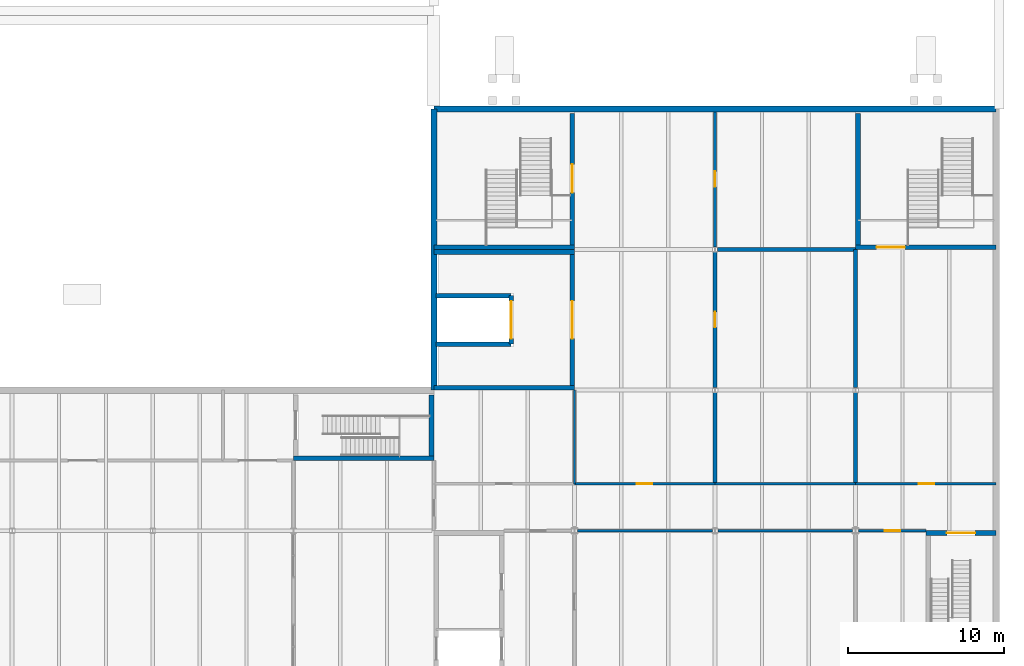
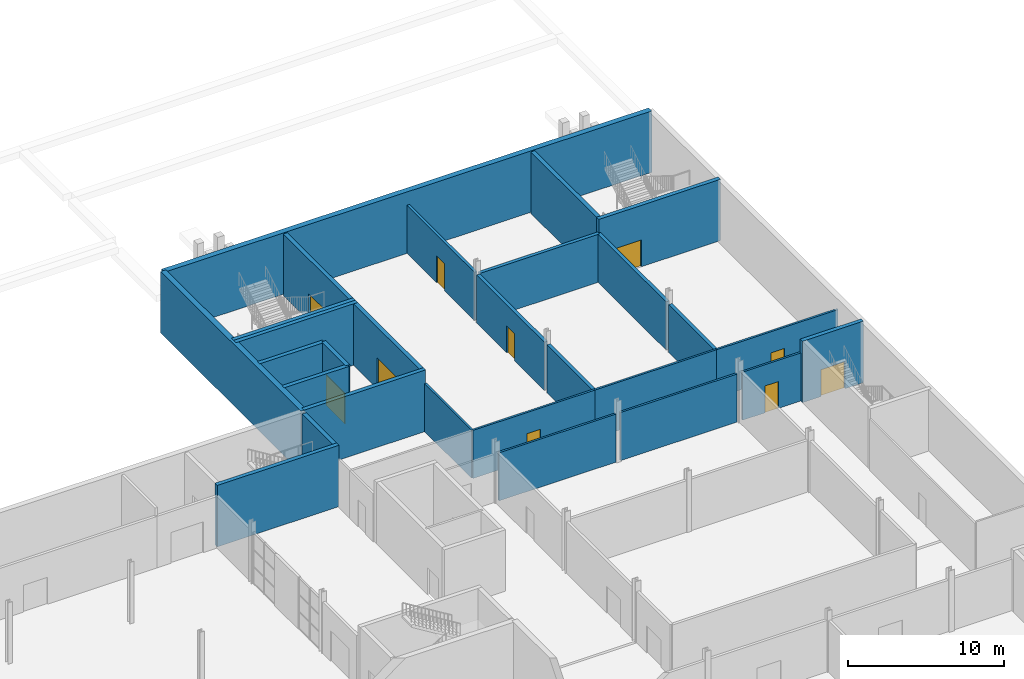
# One storey, part 19 of 31: 28 walls, 10 doors, 10 openings.
"""IFC4 building model written with IfcOpenShell, lengths in metres."""

from ifc_helpers import new_model, si_unit, direction, frame, frame_2d, origin, place, context, subcontext, project, spatial, rectangle, extrude, material, layer, layer_set, type_object, element, fill, save


model = new_model("IFC4")

# Units and contexts
model_context = context("Model", 3, precision=1e-05, world=origin(), true_north=direction((0.0, 1.0)))
body_context = subcontext(model_context, "Body", "Model", "MODEL_VIEW")
ifc_project = project(units=[si_unit("LENGTHUNIT", "METRE"), si_unit("AREAUNIT", "SQUARE_METRE"), si_unit("VOLUMEUNIT", "CUBIC_METRE"), si_unit("PLANEANGLEUNIT", "RADIAN"), si_unit("MASSUNIT", "GRAM", prefix="KILO")], contexts=[model_context])

# Site, building, storey
site_placement = place(None, origin())
site = spatial("IfcSite", under=ifc_project, at=site_placement, CompositionType="ELEMENT")
building_placement = place(site_placement, origin())
building = spatial("IfcBuilding", under=site, at=building_placement, Name="Halyard Row Museum", CompositionType="ELEMENT")
storey_placement = place(building_placement, frame((0.0, 0.0, -4.800048828125)))
storey = spatial("IfcBuildingStorey", under=building, at=storey_placement, Name="B1", CompositionType="ELEMENT", Elevation=-4.800048828125)

# Wall
ifc_material_1 = material(Name="Concrete 40 MPa", Category="concrete")
ifc_layer_1 = layer(ifc_material_1, 0.25)
ifc_layer_set_1 = layer_set([ifc_layer_1], Name="Concrete 40 MPa")
wall_type_1 = type_object("IfcWallType", Name="Archive wall 250 reinforced concrete", PredefinedType="PARTITIONING", material=ifc_layer_set_1)
wall_1_placement = place(storey_placement, frame((90.0, 39.0, 0.0), z_axis=(0.0, 0.0, 1.0), x_axis=(0.0, 1.0, 0.0)))
element("IfcWall", 1, at=wall_1_placement, inside=storey, type_object=wall_type_1, Name="Partition Goods Lobby B1 / Archive Store", PredefinedType="PARTITIONING", context=body_context, shape_type="SweptSolid", body=[
    extrude(rectangle(XDim=5.83642578125, YDim=0.25, at=frame_2d((2.918212890625, 0.0))), origin(), (0.0, 0.0, 1.0), 3.758056640625),
])

# Wall, opening, door
wall_2_placement = place(storey_placement, frame((90.0, 45.16357421875, 0.0), z_axis=(0.0, 0.0, 1.0), x_axis=(0.0, 1.0, 0.0)))
wall_2 = element("IfcWall", 2, at=wall_2_placement, inside=storey, type_object=wall_type_1, Name="Partition Goods Lobby B1 / Archive Store", PredefinedType="PARTITIONING", context=body_context, shape_type="SweptSolid", body=[
    extrude(rectangle(XDim=8.676025390625, YDim=0.25, at=frame_2d((4.337890625, 0.0))), origin(), (0.0, 0.0, 1.0), 3.758056640625),
])
opening_1_placement = place(wall_2_placement, frame((3.85009765625, 0.0, 0.0)))
opening_1 = element("IfcOpeningElement", 3, at=opening_1_placement, cuts=wall_2, Name="Opening DB1-040", PredefinedType="OPENING", context=body_context, shape_type="SweptSolid", body=[
    extrude(rectangle(XDim=1.0, YDim=2.10009765625, at=frame_2d((0.5, 1.050048828125))), frame((0.0, 0.135009765625, 0.0), z_axis=(0.0, -1.0, 0.0), x_axis=(1.0, 0.0, 0.0)), (0.0, 0.0, 1.0), 0.27001953125),
])
ifc_material_2 = material(Name="Galvanised steel door leaf and frame", Category="steel")
door_type_1 = type_object("IfcDoorType", Name="Archive door 1000 x 2100 fire rated", OperationType="NOTDEFINED", PredefinedType="DOOR", material=ifc_material_2)
door_1_placement = place(opening_1_placement, frame((1.0, 0.0, 0.0), z_axis=(0.0, 0.0, 1.0), x_axis=(-1.0, 0.0, 0.0)))
door_1 = element("IfcDoor", 4, at=door_1_placement, inside=storey, type_object=door_type_1, Name="Door Archive Store to Goods Lobby B1", OperationType="SINGLE_SWING_LEFT", OverallHeight=2.10009765625, OverallWidth=1.0, PredefinedType="DOOR", context=body_context, shape_type="SweptSolid", body=[
    extrude(rectangle(XDim=1.0, YDim=2.10009765625, at=frame_2d((0.5, 1.050048828125))), frame((0.0, 0.02490234375, 0.0), z_axis=(0.0, -1.0, 0.0), x_axis=(1.0, 0.0, 0.0)), (0.0, 0.0, 1.0), 0.050048828125),
])
fill(opening_1, door_1)

# Walls
wall_3_placement = place(storey_placement, frame((99.0, 39.0, 0.0), z_axis=(0.0, 0.0, 1.0), x_axis=(0.0, 1.0, 0.0)))
element("IfcWall", 5, at=wall_3_placement, inside=storey, type_object=wall_type_1, Name="Partition Archive Store / Stair Lobby K5B B1", PredefinedType="PARTITIONING", context=body_context, shape_type="SweptSolid", body=[
    extrude(rectangle(XDim=5.83642578125, YDim=0.25, at=frame_2d((2.918212890625, 0.0))), origin(), (0.0, 0.0, 1.0), 3.758056640625),
])
wall_4_placement = place(storey_placement, frame((99.0, 45.16357421875, 0.0), z_axis=(0.0, 0.0, 1.0), x_axis=(0.0, 1.0, 0.0)))
element("IfcWall", 6, at=wall_4_placement, inside=storey, type_object=wall_type_1, Name="Partition Archive Store / Stair Lobby K5B B1", PredefinedType="PARTITIONING", context=body_context, shape_type="SweptSolid", body=[
    extrude(rectangle(XDim=8.83642578125, YDim=0.25, at=frame_2d((4.418212890625, 0.0))), origin(), (0.0, 0.0, 1.0), 3.758056640625),
])
wall_5_placement = place(storey_placement, frame((90.154541015625, 54.0, 0.0), z_axis=(0.0, 0.0, 1.0), x_axis=(1.0, 0.0, 0.0)))
element("IfcWall", 7, at=wall_5_placement, inside=storey, type_object=wall_type_1, Name="Partition Archive Store / IT Room", PredefinedType="PARTITIONING", context=body_context, shape_type="SweptSolid", body=[
    extrude(rectangle(XDim=8.845458984375, YDim=0.25, at=frame_2d((4.4228515625, 0.0))), origin(), (0.0, 0.0, 1.0), 3.758056640625),
])
ifc_material_3 = material(Name="Concrete 40 MPa", Category="concrete")
ifc_layer_2 = layer(ifc_material_3, 0.39990234375)
ifc_layer_set_2 = layer_set([ifc_layer_2], Name="Concrete 40 MPa")
wall_type_2 = type_object("IfcWallType", Name="Basement retaining wall", PredefinedType="SOLIDWALL", material=ifc_layer_set_2)
wall_6_placement = place(storey_placement, frame((72.0, 63.0, 0.0), z_axis=(0.0, 0.0, 1.0), x_axis=(1.0, 0.0, 0.0)))
element("IfcWall", 8, at=wall_6_placement, inside=storey, type_object=wall_type_2, Name="Retaining wall B1 S2", PredefinedType="SOLIDWALL", context=body_context, shape_type="SweptSolid", body=[
    extrude(rectangle(XDim=36.0, YDim=0.39990234375, at=frame_2d((18.0, 0.0))), origin(), (0.0, 0.0, 1.0), 4.800048828125),
])
wall_7_placement = place(storey_placement, frame((72.0, 45.0, 0.0), z_axis=(0.0, 0.0, 1.0), x_axis=(0.0, 1.0, 0.0)))
element("IfcWall", 9, at=wall_7_placement, inside=storey, type_object=wall_type_2, Name="Retaining wall B1 W3", PredefinedType="SOLIDWALL", context=body_context, shape_type="SweptSolid", body=[
    extrude(rectangle(XDim=18.0, YDim=0.39990234375, at=frame_2d((9.0, 0.0))), origin(), (0.0, 0.0, 1.0), 4.800048828125),
])
ifc_material_4 = material(Name="Fire-resisting plasterboard on steel studs", Category="steel")
ifc_layer_3 = layer(ifc_material_4, 0.14990234375)
ifc_layer_set_3 = layer_set([ifc_layer_3], Name="Fire-resisting plasterboard on steel studs")
wall_type_3 = type_object("IfcWallType", Name="Compartment wall 150 fire rated", PredefinedType="PARTITIONING", material=ifc_layer_set_3)
for number, where, z_axis, x_axis, name in (
    (10, (81.199951171875, 36.0, 0.0), (0.0, 0.0, 1.0), (1.0, 0.0, 0.0), "Partition Fire Tank Room / Collections Corridor"),
    (11, (90.175048828125, 36.0, 0.0), (0.0, 0.0, 1.0), (1.0, 0.0, 0.0), "Partition Fire Tank Room / Collections Corridor"),
):
    element("IfcWall", number, at=place(storey_placement, frame(where, z_axis=z_axis, x_axis=x_axis)), inside=storey, type_object=wall_type_3, Name=name, PredefinedType="PARTITIONING", context=body_context, shape_type="SweptSolid", body=[
        extrude(rectangle(XDim=8.625, YDim=0.14990234375, at=frame_2d((4.3125, 0.0))), origin(), (0.0, 0.0, 1.0), 3.758056640625),
    ])

# Wall, opening, door
wall_8_placement = place(storey_placement, frame((99.199951171875, 36.0, 0.0), z_axis=(0.0, 0.0, 1.0), x_axis=(1.0, 0.0, 0.0)))
wall_8 = element("IfcWall", 12, at=wall_8_placement, inside=storey, type_object=wall_type_3, Name="Partition Basement Stair Link / Collections Corridor", PredefinedType="PARTITIONING", context=body_context, shape_type="SweptSolid", body=[
    extrude(rectangle(XDim=4.300048828125, YDim=0.14990234375, at=frame_2d((2.14990234375, 0.0))), origin(), (0.0, 0.0, 1.0), 3.758056640625),
])
opening_2_placement = place(wall_8_placement, frame((1.64990234375, 0.0, 0.0)))
opening_2 = element("IfcOpeningElement", 13, at=opening_2_placement, cuts=wall_8, Name="Opening DB1-022", PredefinedType="OPENING", context=body_context, shape_type="SweptSolid", body=[
    extrude(rectangle(XDim=1.0, YDim=2.10009765625, at=frame_2d((0.5, 1.050048828125))), frame((0.0, 0.0849609375, 0.0), z_axis=(0.0, -1.0, 0.0), x_axis=(1.0, 0.0, 0.0)), (0.0, 0.0, 1.0), 0.169921875),
])
ifc_material_5 = material(Name="Fire-resisting timber door leaf and steel frame", Category="steel")
door_type_2 = type_object("IfcDoorType", Name="Compartment door 1000 x 2100 fire rated", OperationType="NOTDEFINED", PredefinedType="DOOR", material=ifc_material_5)
door_2_placement = place(opening_2_placement, origin())
door_2 = element("IfcDoor", 14, at=door_2_placement, inside=storey, type_object=door_type_2, Name="Door Basement Stair Link to Collections Corridor", OperationType="SINGLE_SWING_LEFT", OverallHeight=2.10009765625, OverallWidth=1.0, PredefinedType="DOOR", context=body_context, shape_type="SweptSolid", body=[
    extrude(rectangle(XDim=1.0, YDim=2.10009765625, at=frame_2d((0.5, 1.050048828125))), frame((0.0, 0.02490234375, 0.0), z_axis=(0.0, -1.0, 0.0), x_axis=(1.0, 0.0, 0.0)), (0.0, 0.0, 1.0), 0.050048828125),
])
fill(opening_2, door_2)

wall_9_placement = place(storey_placement, frame((81.0, 39.0, 0.0), z_axis=(0.0, 0.0, 1.0), x_axis=(1.0, 0.0, 0.0)))
wall_9 = element("IfcWall", 15, at=wall_9_placement, inside=storey, type_object=wall_type_3, Name="Partition Collections Corridor / Goods Lobby B1", PredefinedType="PARTITIONING", context=body_context, shape_type="SweptSolid", body=[
    extrude(rectangle(XDim=9.0, YDim=0.14990234375, at=frame_2d((4.5, 0.0))), origin(), (0.0, 0.0, 1.0), 3.758056640625),
])
opening_3_placement = place(wall_9_placement, frame((3.985107421875, 0.0, 0.0)))
opening_3 = element("IfcOpeningElement", 16, at=opening_3_placement, cuts=wall_9, Name="Opening DB1-023", PredefinedType="OPENING", context=body_context, shape_type="SweptSolid", body=[
    extrude(rectangle(XDim=1.0, YDim=2.10009765625, at=frame_2d((0.5, 1.050048828125))), frame((0.0, 0.0849609375, 0.0), z_axis=(0.0, -1.0, 0.0), x_axis=(1.0, 0.0, 0.0)), (0.0, 0.0, 1.0), 0.169921875),
])
door_3_placement = place(opening_3_placement, origin())
door_3 = element("IfcDoor", 17, at=door_3_placement, inside=storey, type_object=door_type_2, Name="Door Collections Corridor to Goods Lobby B1", OperationType="SINGLE_SWING_RIGHT", OverallHeight=2.10009765625, OverallWidth=1.0, PredefinedType="DOOR", context=body_context, shape_type="SweptSolid", body=[
    extrude(rectangle(XDim=1.0, YDim=2.10009765625, at=frame_2d((0.5, 1.050048828125))), frame((0.0, 0.02490234375, 0.0), z_axis=(0.0, -1.0, 0.0), x_axis=(1.0, 0.0, 0.0)), (0.0, 0.0, 1.0), 0.050048828125),
])
fill(opening_3, door_3)

# Wall
wall_10_placement = place(storey_placement, frame((90.0, 39.0, 0.0), z_axis=(0.0, 0.0, 1.0), x_axis=(1.0, 0.0, 0.0)))
element("IfcWall", 18, at=wall_10_placement, inside=storey, type_object=wall_type_3, Name="Partition Collections Corridor / Archive Store", PredefinedType="PARTITIONING", context=body_context, shape_type="SweptSolid", body=[
    extrude(rectangle(XDim=9.0, YDim=0.14990234375, at=frame_2d((4.5, 0.0))), origin(), (0.0, 0.0, 1.0), 3.758056640625),
])

# Wall, opening, door
wall_11_placement = place(storey_placement, frame((99.0, 39.0, 0.0), z_axis=(0.0, 0.0, 1.0), x_axis=(1.0, 0.0, 0.0)))
wall_11 = element("IfcWall", 19, at=wall_11_placement, inside=storey, type_object=wall_type_3, Name="Partition Collections Corridor / Stair Lobby K5B B1", PredefinedType="PARTITIONING", context=body_context, shape_type="SweptSolid", body=[
    extrude(rectangle(XDim=9.0, YDim=0.14990234375, at=frame_2d((4.5, 0.0))), origin(), (0.0, 0.0, 1.0), 3.758056640625),
])
opening_4_placement = place(wall_11_placement, frame((4.034912109375, 0.0, 0.0)))
opening_4 = element("IfcOpeningElement", 20, at=opening_4_placement, cuts=wall_11, Name="Opening DB1-024", PredefinedType="OPENING", context=body_context, shape_type="SweptSolid", body=[
    extrude(rectangle(XDim=1.0, YDim=2.10009765625, at=frame_2d((0.5, 1.050048828125))), frame((0.0, 0.0849609375, 0.0), z_axis=(0.0, -1.0, 0.0), x_axis=(1.0, 0.0, 0.0)), (0.0, 0.0, 1.0), 0.169921875),
])
door_4_placement = place(opening_4_placement, origin())
door_4 = element("IfcDoor", 21, at=door_4_placement, inside=storey, type_object=door_type_2, Name="Door Collections Corridor to Stair Lobby K5B B1", OperationType="SINGLE_SWING_LEFT", OverallHeight=2.10009765625, OverallWidth=1.0, PredefinedType="DOOR", context=body_context, shape_type="SweptSolid", body=[
    extrude(rectangle(XDim=1.0, YDim=2.10009765625, at=frame_2d((0.5, 1.050048828125))), frame((0.0, 0.02490234375, 0.0), z_axis=(0.0, -1.0, 0.0), x_axis=(1.0, 0.0, 0.0)), (0.0, 0.0, 1.0), 0.050048828125),
])
fill(opening_4, door_4)

# Walls
wall_12_placement = place(storey_placement, frame((81.0, 39.0, 0.0), z_axis=(0.0, 0.0, 1.0), x_axis=(0.0, 1.0, 0.0)))
element("IfcWall", 22, at=wall_12_placement, inside=storey, type_object=wall_type_3, Name="Partition Quarantine Store / Goods Lobby B1", PredefinedType="PARTITIONING", context=body_context, shape_type="SweptSolid", body=[
    extrude(rectangle(XDim=6.0, YDim=0.14990234375, at=frame_2d((3.0, 0.0))), origin(), (0.0, 0.0, 1.0), 3.758056640625),
])
ifc_material_6 = material(Name="Concrete 40 MPa", Category="concrete")
ifc_layer_4 = layer(ifc_material_6, 0.300048828125)
ifc_layer_set_4 = layer_set([ifc_layer_4], Name="Concrete 40 MPa")
wall_type_4 = type_object("IfcWallType", Name="Core wall 300 lift shaft", PredefinedType="SOLIDWALL", material=ifc_layer_set_4)
wall_13_placement = place(storey_placement, frame((72.0, 45.14990234375, 0.0), z_axis=(0.0, 0.0, 1.0), x_axis=(1.0, 0.0, 0.0)))
element("IfcWall", 23, at=wall_13_placement, inside=storey, type_object=wall_type_4, Name="Core wall K8 S B1", PredefinedType="SOLIDWALL", context=body_context, shape_type="SweptSolid", body=[
    extrude(rectangle(XDim=9.0, YDim=0.300048828125, at=frame_2d((4.5, 0.0))), origin(), (0.0, 0.0, 1.0), 4.800048828125),
])

# Wall, opening, door
wall_14_placement = place(storey_placement, frame((80.85009765625, 45.300048828125, 0.0), z_axis=(0.0, 0.0, 1.0), x_axis=(0.0, 1.0, 0.0)))
wall_14 = element("IfcWall", 24, at=wall_14_placement, inside=storey, type_object=wall_type_4, Name="Core wall K8 E B1", PredefinedType="SOLIDWALL", context=body_context, shape_type="SweptSolid", body=[
    extrude(rectangle(XDim=8.39990234375, YDim=0.300048828125, at=frame_2d((4.199951171875, 0.0))), origin(), (0.0, 0.0, 1.0), 4.800048828125),
])
opening_5_placement = place(wall_14_placement, frame((3.0, 0.0, 0.0)))
opening_5 = element("IfcOpeningElement", 25, at=opening_5_placement, cuts=wall_14, Name="Opening DB1-014", PredefinedType="OPENING", context=body_context, shape_type="SweptSolid", body=[
    extrude(rectangle(XDim=2.39990234375, YDim=2.39990234375, at=frame_2d((1.199951171875, 1.199951171875))), frame((0.0, 0.159912109375, 0.0), z_axis=(0.0, -1.0, 0.0), x_axis=(1.0, 0.0, 0.0)), (0.0, 0.0, 1.0), 0.320068359375),
])
ifc_material_7 = material(Name="Timber veneered door leaf and softwood frame", Category="wood")
door_type_3 = type_object("IfcDoorType", Name="Double door 2400 x 2400 gallery fire rated", OperationType="NOTDEFINED", PredefinedType="DOOR", material=ifc_material_7)
door_5_placement = place(opening_5_placement, frame((2.39990234375, 0.0, 0.0), z_axis=(0.0, 0.0, 1.0), x_axis=(-1.0, 0.0, 0.0)))
door_5 = element("IfcDoor", 26, at=door_5_placement, inside=storey, type_object=door_type_3, Name="Goods lobby door K8 B1", OperationType="DOUBLE_DOOR_SINGLE_SWING", OverallHeight=2.39990234375, OverallWidth=2.39990234375, PredefinedType="DOOR", context=body_context, shape_type="SweptSolid", body=[
    extrude(rectangle(XDim=2.39990234375, YDim=2.39990234375, at=frame_2d((1.199951171875, 1.199951171875))), frame((0.0, 0.02490234375, 0.0), z_axis=(0.0, -1.0, 0.0), x_axis=(1.0, 0.0, 0.0)), (0.0, 0.0, 1.0), 0.050048828125),
])
fill(opening_5, door_5)

# Wall
wall_15_placement = place(storey_placement, frame((72.0, 53.85009765625, 0.0), z_axis=(0.0, 0.0, 1.0), x_axis=(1.0, 0.0, 0.0)))
element("IfcWall", 27, at=wall_15_placement, inside=storey, type_object=wall_type_4, Name="Core wall K8 N B1", PredefinedType="SOLIDWALL", context=body_context, shape_type="SweptSolid", body=[
    extrude(rectangle(XDim=9.0, YDim=0.300048828125, at=frame_2d((4.5, 0.0))), origin(), (0.0, 0.0, 1.0), 4.800048828125),
])

# Wall, opening, door
wall_16_placement = place(storey_placement, frame((76.949951171875, 47.949951171875, 0.0), z_axis=(0.0, 0.0, 1.0), x_axis=(0.0, 1.0, 0.0)))
wall_16 = element("IfcWall", 28, at=wall_16_placement, inside=storey, type_object=wall_type_4, Name="Shaft wall GL1 front B1", PredefinedType="SOLIDWALL", context=body_context, shape_type="SweptSolid", body=[
    extrude(rectangle(XDim=3.10009765625, YDim=0.300048828125, at=frame_2d((1.550048828125, 0.0))), origin(), (0.0, 0.0, 1.0), 4.800048828125),
])
opening_6_placement = place(wall_16_placement, frame((0.35009765625, 0.0, 0.0)))
opening_6 = element("IfcOpeningElement", 29, at=opening_6_placement, cuts=wall_16, Name="Opening LDGL1-B1", PredefinedType="OPENING", context=body_context, shape_type="SweptSolid", body=[
    extrude(rectangle(XDim=2.39990234375, YDim=2.39990234375, at=frame_2d((1.199951171875, 1.199951171875))), frame((0.0, 0.159912109375, 0.0), z_axis=(0.0, -1.0, 0.0), x_axis=(1.0, 0.0, 0.0)), (0.0, 0.0, 1.0), 0.320068359375),
])
ifc_material_8 = material(Name="Stainless steel sliding car and landing doors", Category="steel")
door_type_4 = type_object("IfcDoorType", Name="Lift landing door 2400 x 2400", OperationType="SLIDING_TO_LEFT", PredefinedType="DOOR", material=ifc_material_8)
door_6_placement = place(opening_6_placement, origin())
door_6 = element("IfcDoor", 30, at=door_6_placement, inside=storey, type_object=door_type_4, Name="Landing door GL1 B1", OperationType="DOUBLE_DOOR_SLIDING", OverallHeight=2.39990234375, OverallWidth=2.39990234375, PredefinedType="DOOR", context=body_context, shape_type="SweptSolid", body=[
    extrude(rectangle(XDim=2.39990234375, YDim=2.39990234375, at=frame_2d((1.199951171875, 1.199951171875))), frame((0.0, 0.02490234375, 0.0), z_axis=(0.0, -1.0, 0.0), x_axis=(1.0, 0.0, 0.0)), (0.0, 0.0, 1.0), 0.050048828125),
])
fill(opening_6, door_6)

# Walls
for number, where, z_axis, x_axis, name in (
    (31, (72.14990234375, 47.949951171875, 0.0), (0.0, 0.0, 1.0), (1.0, 0.0, 0.0), "Shaft wall GL1 A B1"),
    (32, (72.14990234375, 51.050048828125, 0.0), (0.0, 0.0, 1.0), (1.0, 0.0, 0.0), "Shaft wall GL1 B B1"),
):
    element("IfcWall", number, at=place(storey_placement, frame(where, z_axis=z_axis, x_axis=x_axis)), inside=storey, type_object=wall_type_4, Name=name, PredefinedType="SOLIDWALL", context=body_context, shape_type="SweptSolid", body=[
        extrude(rectangle(XDim=4.800048828125, YDim=0.300048828125, at=frame_2d((2.39990234375, 0.0))), origin(), (0.0, 0.0, 1.0), 4.800048828125),
    ])
ifc_material_9 = material(Name="Concrete 40 MPa", Category="concrete")
ifc_layer_5 = layer(ifc_material_9, 0.300048828125)
ifc_layer_set_5 = layer_set([ifc_layer_5], Name="Concrete 40 MPa")
wall_type_5 = type_object("IfcWallType", Name="Exitway wall 300 reinforced concrete", PredefinedType="SOLIDWALL", material=ifc_layer_set_5)
wall_17_placement = place(storey_placement, frame((63.0, 40.64990234375, 0.0), z_axis=(0.0, 0.0, 1.0), x_axis=(1.0, 0.0, 0.0)))
element("IfcWall", 33, at=wall_17_placement, inside=storey, type_object=wall_type_5, Name="Core wall K1B S B1", PredefinedType="SOLIDWALL", context=body_context, shape_type="SweptSolid", body=[
    extrude(rectangle(XDim=9.0, YDim=0.300048828125, at=frame_2d((4.5, 0.0))), origin(), (0.0, 0.0, 1.0), 4.800048828125),
])
wall_18_placement = place(storey_placement, frame((71.85009765625, 40.800048828125, 0.0), z_axis=(0.0, 0.0, 1.0), x_axis=(0.0, 1.0, 0.0)))
element("IfcWall", 34, at=wall_18_placement, inside=storey, type_object=wall_type_5, Name="Core wall K1B E B1", PredefinedType="SOLIDWALL", context=body_context, shape_type="SweptSolid", body=[
    extrude(rectangle(XDim=3.89990234375, YDim=0.300048828125, at=frame_2d((1.949951171875, 0.0))), origin(), (0.0, 0.0, 1.0), 4.800048828125),
])

# Wall, opening, door
wall_19_placement = place(storey_placement, frame((103.5, 35.85009765625, 0.0), z_axis=(0.0, 0.0, 1.0), x_axis=(1.0, 0.0, 0.0)))
wall_19 = element("IfcWall", 35, at=wall_19_placement, inside=storey, type_object=wall_type_5, Name="Core wall K2C N B1", PredefinedType="SOLIDWALL", context=body_context, shape_type="SweptSolid", body=[
    extrude(rectangle(XDim=4.5, YDim=0.300048828125, at=frame_2d((2.25, 0.0))), origin(), (0.0, 0.0, 1.0), 4.800048828125),
])
opening_7_placement = place(wall_19_placement, frame((1.35009765625, 0.0, 0.0)))
opening_7 = element("IfcOpeningElement", 36, at=opening_7_placement, cuts=wall_19, Name="Opening DB1-007", PredefinedType="OPENING", context=body_context, shape_type="SweptSolid", body=[
    extrude(rectangle(XDim=1.800048828125, YDim=2.10009765625, at=frame_2d((0.89990234375, 1.050048828125))), frame((0.0, 0.159912109375, 0.0), z_axis=(0.0, -1.0, 0.0), x_axis=(1.0, 0.0, 0.0)), (0.0, 0.0, 1.0), 0.320068359375),
])
ifc_material_10 = material(Name="Fire-resisting timber door leaf and steel frame", Category="steel")
door_type_5 = type_object("IfcDoorType", Name="Exitway door 1800 x 2100 fire rated", OperationType="NOTDEFINED", PredefinedType="DOOR", material=ifc_material_10)
door_7_placement = place(opening_7_placement, frame((1.800048828125, 0.0, 0.0), z_axis=(0.0, 0.0, 1.0), x_axis=(-1.0, 0.0, 0.0)))
door_7 = element("IfcDoor", 37, at=door_7_placement, inside=storey, type_object=door_type_5, Name="Exitway door K2C B1", OperationType="DOUBLE_DOOR_SINGLE_SWING", OverallHeight=2.10009765625, OverallWidth=1.800048828125, PredefinedType="DOOR", context=body_context, shape_type="SweptSolid", body=[
    extrude(rectangle(XDim=1.800048828125, YDim=2.10009765625, at=frame_2d((0.89990234375, 1.050048828125))), frame((0.0, 0.02490234375, 0.0), z_axis=(0.0, -1.0, 0.0), x_axis=(1.0, 0.0, 0.0)), (0.0, 0.0, 1.0), 0.050048828125),
])
fill(opening_7, door_7)

# Wall
wall_20_placement = place(storey_placement, frame((72.0, 54.14990234375, 0.0), z_axis=(0.0, 0.0, 1.0), x_axis=(1.0, 0.0, 0.0)))
element("IfcWall", 38, at=wall_20_placement, inside=storey, type_object=wall_type_5, Name="Core wall K5A S B1", PredefinedType="SOLIDWALL", context=body_context, shape_type="SweptSolid", body=[
    extrude(rectangle(XDim=9.0, YDim=0.300048828125, at=frame_2d((4.5, 0.0))), origin(), (0.0, 0.0, 1.0), 4.800048828125),
])

# Wall, opening, door
wall_21_placement = place(storey_placement, frame((80.85009765625, 54.300048828125, 0.0), z_axis=(0.0, 0.0, 1.0), x_axis=(0.0, 1.0, 0.0)))
wall_21 = element("IfcWall", 39, at=wall_21_placement, inside=storey, type_object=wall_type_5, Name="Core wall K5A E B1", PredefinedType="SOLIDWALL", context=body_context, shape_type="SweptSolid", body=[
    extrude(rectangle(XDim=8.39990234375, YDim=0.300048828125, at=frame_2d((4.199951171875, 0.0))), origin(), (0.0, 0.0, 1.0), 4.800048828125),
])
opening_8_placement = place(wall_21_placement, frame((3.35009765625, 0.0, 0.0)))
opening_8 = element("IfcOpeningElement", 40, at=opening_8_placement, cuts=wall_21, Name="Opening DB1-012", PredefinedType="OPENING", context=body_context, shape_type="SweptSolid", body=[
    extrude(rectangle(XDim=1.800048828125, YDim=2.10009765625, at=frame_2d((0.89990234375, 1.050048828125))), frame((0.0, 0.159912109375, 0.0), z_axis=(0.0, -1.0, 0.0), x_axis=(1.0, 0.0, 0.0)), (0.0, 0.0, 1.0), 0.320068359375),
])
door_8_placement = place(opening_8_placement, origin())
door_8 = element("IfcDoor", 41, at=door_8_placement, inside=storey, type_object=door_type_5, Name="Exitway door K5A B1", OperationType="DOUBLE_DOOR_SINGLE_SWING", OverallHeight=2.10009765625, OverallWidth=1.800048828125, PredefinedType="DOOR", context=body_context, shape_type="SweptSolid", body=[
    extrude(rectangle(XDim=1.800048828125, YDim=2.10009765625, at=frame_2d((0.89990234375, 1.050048828125))), frame((0.0, 0.02490234375, 0.0), z_axis=(0.0, -1.0, 0.0), x_axis=(1.0, 0.0, 0.0)), (0.0, 0.0, 1.0), 0.050048828125),
])
fill(opening_8, door_8)

wall_22_placement = place(storey_placement, frame((99.0, 54.14990234375, 0.0), z_axis=(0.0, 0.0, 1.0), x_axis=(1.0, 0.0, 0.0)))
wall_22 = element("IfcWall", 42, at=wall_22_placement, inside=storey, type_object=wall_type_5, Name="Core wall K5B S B1", PredefinedType="SOLIDWALL", context=body_context, shape_type="SweptSolid", body=[
    extrude(rectangle(XDim=9.0, YDim=0.300048828125, at=frame_2d((4.5, 0.0))), origin(), (0.0, 0.0, 1.0), 4.800048828125),
])
opening_9_placement = place(wall_22_placement, frame((1.35009765625, 0.0, 0.0)))
opening_9 = element("IfcOpeningElement", 43, at=opening_9_placement, cuts=wall_22, Name="Opening DB1-013", PredefinedType="OPENING", context=body_context, shape_type="SweptSolid", body=[
    extrude(rectangle(XDim=1.800048828125, YDim=2.10009765625, at=frame_2d((0.89990234375, 1.050048828125))), frame((0.0, 0.159912109375, 0.0), z_axis=(0.0, -1.0, 0.0), x_axis=(1.0, 0.0, 0.0)), (0.0, 0.0, 1.0), 0.320068359375),
])
door_9_placement = place(opening_9_placement, origin())
door_9 = element("IfcDoor", 44, at=door_9_placement, inside=storey, type_object=door_type_5, Name="Exitway door K5B B1", OperationType="DOUBLE_DOOR_SINGLE_SWING", OverallHeight=2.10009765625, OverallWidth=1.800048828125, PredefinedType="DOOR", context=body_context, shape_type="SweptSolid", body=[
    extrude(rectangle(XDim=1.800048828125, YDim=2.10009765625, at=frame_2d((0.89990234375, 1.050048828125))), frame((0.0, 0.02490234375, 0.0), z_axis=(0.0, -1.0, 0.0), x_axis=(1.0, 0.0, 0.0)), (0.0, 0.0, 1.0), 0.050048828125),
])
fill(opening_9, door_9)

# Wall
wall_23_placement = place(storey_placement, frame((99.14990234375, 54.300048828125, 0.0), z_axis=(0.0, 0.0, 1.0), x_axis=(0.0, 1.0, 0.0)))
element("IfcWall", 45, at=wall_23_placement, inside=storey, type_object=wall_type_5, Name="Core wall K5B W B1", PredefinedType="SOLIDWALL", context=body_context, shape_type="SweptSolid", body=[
    extrude(rectangle(XDim=8.39990234375, YDim=0.300048828125, at=frame_2d((4.199951171875, 0.0))), origin(), (0.0, 0.0, 1.0), 4.800048828125),
])

# Wall, opening, door
ifc_material_11 = material(Name="Concrete masonry 15 MPa", Category="masonry")
ifc_layer_6 = layer(ifc_material_11, 0.199951171875)
ifc_layer_set_6 = layer_set([ifc_layer_6], Name="Concrete masonry 15 MPa")
wall_type_6 = type_object("IfcWallType", Name="Plant room wall 200 fire rated", PredefinedType="PARTITIONING", material=ifc_layer_set_6)
wall_24_placement = place(storey_placement, frame((90.0, 54.160400390625, 0.0), z_axis=(0.0, 0.0, 1.0), x_axis=(0.0, 1.0, 0.0)))
wall_24 = element("IfcWall", 46, at=wall_24_placement, inside=storey, type_object=wall_type_6, Name="Partition Stair Lobby K5A B1 / IT Room", PredefinedType="PARTITIONING", context=body_context, shape_type="SweptSolid", body=[
    extrude(rectangle(XDim=8.6396484375, YDim=0.199951171875, at=frame_2d((4.31982421875, 0.0))), origin(), (0.0, 0.0, 1.0), 3.758056640625),
])
opening_10_placement = place(wall_24_placement, frame((3.85009765625, 0.0, 0.0)))
opening_10 = element("IfcOpeningElement", 47, at=opening_10_placement, cuts=wall_24, Name="Opening DB1-041", PredefinedType="OPENING", context=body_context, shape_type="SweptSolid", body=[
    extrude(rectangle(XDim=1.0, YDim=2.10009765625, at=frame_2d((0.5, 1.050048828125))), frame((0.0, 0.10986328125, 0.0), z_axis=(0.0, -1.0, 0.0), x_axis=(1.0, 0.0, 0.0)), (0.0, 0.0, 1.0), 0.219970703125),
])
ifc_material_12 = material(Name="Galvanised steel door leaf and frame", Category="steel")
door_type_6 = type_object("IfcDoorType", Name="Plant room door 1000 x 2100 fire rated", OperationType="NOTDEFINED", PredefinedType="DOOR", material=ifc_material_12)
door_10_placement = place(opening_10_placement, frame((1.0, 0.0, 0.0), z_axis=(0.0, 0.0, 1.0), x_axis=(-1.0, 0.0, 0.0)))
door_10 = element("IfcDoor", 48, at=door_10_placement, inside=storey, type_object=door_type_6, Name="Door IT Room to Stair Lobby K5A B1", OperationType="SINGLE_SWING_RIGHT", OverallHeight=2.10009765625, OverallWidth=1.0, PredefinedType="DOOR", context=body_context, shape_type="SweptSolid", body=[
    extrude(rectangle(XDim=1.0, YDim=2.10009765625, at=frame_2d((0.5, 1.050048828125))), frame((0.0, 0.02490234375, 0.0), z_axis=(0.0, -1.0, 0.0), x_axis=(1.0, 0.0, 0.0)), (0.0, 0.0, 1.0), 0.050048828125),
])
fill(opening_10, door_10)

save(model, "model.ifc")
